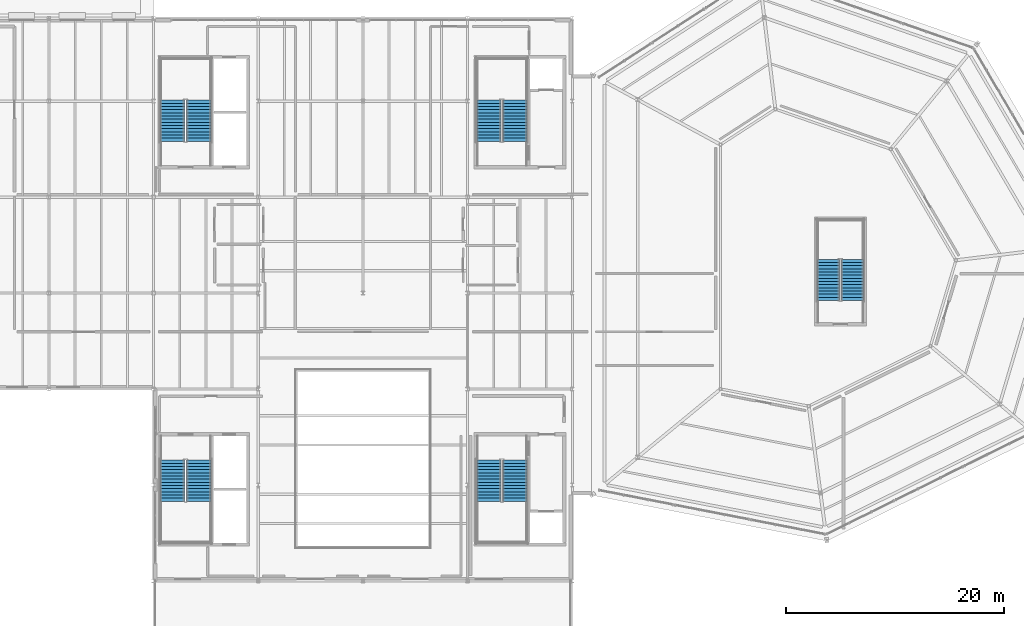
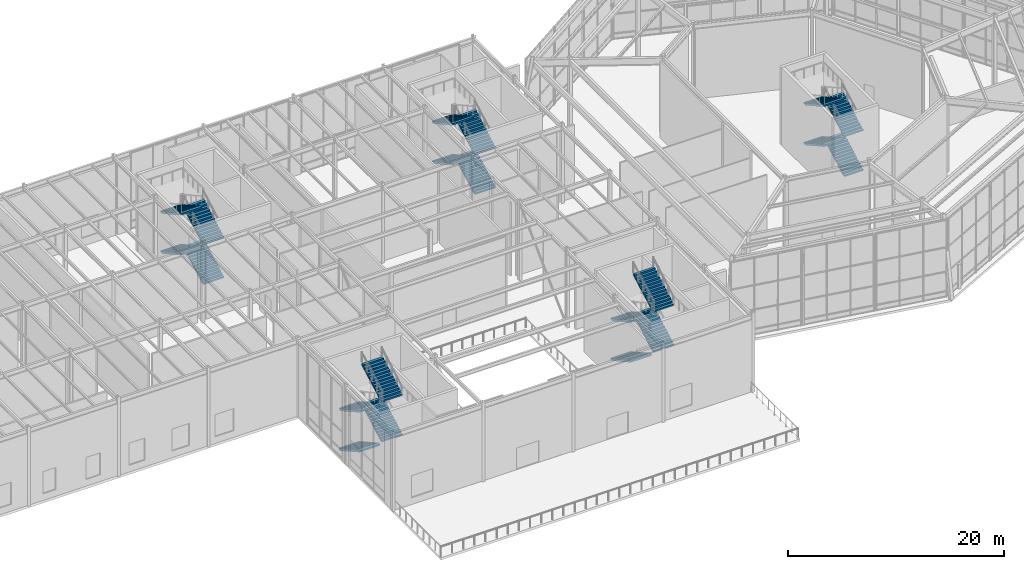
# One storey, part 41 of 48: 20 stair flights, 5 elements without a shape of their own.
"""IFC4 building model written with IfcOpenShell, lengths in metres."""

from ifc_helpers import new_model, si_unit, direction, frame, origin, place, context, subcontext, project, spatial, polyline, outline, extrude, material, type_object, element, aggregate, save


model = new_model("IFC4")

# Units and contexts
model_context = context("Model", 3, precision=1e-05, world=origin(), true_north=direction((0.0, 1.0)))
body_context = subcontext(model_context, "Body", "Model", "MODEL_VIEW")
ifc_project = project(units=[si_unit("LENGTHUNIT", "METRE"), si_unit("AREAUNIT", "SQUARE_METRE"), si_unit("VOLUMEUNIT", "CUBIC_METRE"), si_unit("PLANEANGLEUNIT", "RADIAN"), si_unit("MASSUNIT", "GRAM", prefix="KILO")], contexts=[model_context])

# Site, building, storey
site_placement = place(None, origin())
site = spatial("IfcSite", under=ifc_project, at=site_placement, CompositionType="ELEMENT")
building_placement = place(site_placement, origin())
building = spatial("IfcBuilding", under=site, at=building_placement, Name="Sarnbrook Museum", CompositionType="ELEMENT")
storey_placement = place(building_placement, frame((0.0, 0.0, 19.10009765625)))
storey = spatial("IfcBuildingStorey", under=building, at=storey_placement, Name="L04", CompositionType="ELEMENT", Elevation=19.10009765625)

# Stair, stair flights
ifc_material = material(Name="Concrete N40 (AS 3600, f'c = 40 MPa)", Category="concrete")
stair_type_1 = type_object("IfcStairType", Name="Stair_ST04", PredefinedType="HALF_TURN_STAIR", material=ifc_material)
stair_1_placement = place(storey_placement, origin())
stair_1 = element("IfcStair", 1, at=stair_1_placement, inside=storey, type_object=stair_type_1, Name="L04 Exit Stair ST1", PredefinedType="HALF_TURN_STAIR")
stair_flight_type_1 = type_object("IfcStairFlightType", Name="StairFlight_SF04", PredefinedType="STRAIGHT", material=ifc_material)
stair_flight_1_placement = place(storey_placement, frame((111.550048828125, 67.8798828125, 0.0), z_axis=(0.0, 0.0, 1.0), x_axis=(0.0, -1.0, 0.0)))
stair_flight_1 = element("IfcStairFlight", 2, at=stair_flight_1_placement, type_object=stair_flight_type_1, Name="ST1 flight 1", NumberOfRisers=14, NumberOfTreads=13, PredefinedType="STRAIGHT", RiserHeight=0.160714286, TreadLength=0.29, context=body_context, shape_type="SweptSolid", body=[
    extrude(outline(polyline([(0.0, 0.0), (0.0, 0.16064453125), (0.2900390625, 0.16064453125), (0.2900390625, 0.321533203125), (0.580078125, 0.321533203125), (0.580078125, 0.482177734375), (0.8701171875, 0.482177734375), (0.8701171875, 0.642822265625), (1.159912109375, 0.642822265625), (1.159912109375, 0.803466796875), (1.449951171875, 0.803466796875), (1.449951171875, 0.96435546875), (1.739990234375, 0.96435546875), (1.739990234375, 1.125), (2.030029296875, 1.125), (2.030029296875, 1.28564453125), (2.320068359375, 1.28564453125), (2.320068359375, 1.446533203125), (2.610107421875, 1.446533203125), (2.610107421875, 1.607177734375), (2.89990234375, 1.607177734375), (2.89990234375, 1.767822265625), (3.18994140625, 1.767822265625), (3.18994140625, 1.928466796875), (3.47998046875, 1.928466796875), (3.47998046875, 2.08935546875), (3.77001953125, 2.08935546875), (3.77001953125, 2.25), (3.77001953125, 1.91796875), (0.309326171875, 0.0), (0.0, 0.0)])), frame((0.0, 1.10986328125, 0.0), z_axis=(0.0, -1.0, 0.0), x_axis=(1.0, 0.0, 0.0)), (0.0, 0.0, 1.0), 2.219970703125),
])
stair_flight_2_placement = place(storey_placement, frame((113.949951171875, 64.110107421875, 2.25), z_axis=(0.0, 0.0, 1.0), x_axis=(0.0, 1.0, 0.0)))
stair_flight_2 = element("IfcStairFlight", 3, at=stair_flight_2_placement, type_object=stair_flight_type_1, Name="ST1 flight 2", NumberOfRisers=14, NumberOfTreads=13, PredefinedType="STRAIGHT", RiserHeight=0.160714286, TreadLength=0.29, context=body_context, shape_type="SweptSolid", body=[
    extrude(outline(polyline([(0.0, 0.0), (0.0, 0.16064453125), (0.2900390625, 0.16064453125), (0.2900390625, 0.321533203125), (0.580078125, 0.321533203125), (0.580078125, 0.482177734375), (0.8701171875, 0.482177734375), (0.8701171875, 0.642822265625), (1.159912109375, 0.642822265625), (1.159912109375, 0.803466796875), (1.449951171875, 0.803466796875), (1.449951171875, 0.96435546875), (1.739990234375, 0.96435546875), (1.739990234375, 1.125), (2.030029296875, 1.125), (2.030029296875, 1.28564453125), (2.320068359375, 1.28564453125), (2.320068359375, 1.446533203125), (2.610107421875, 1.446533203125), (2.610107421875, 1.607177734375), (2.89990234375, 1.607177734375), (2.89990234375, 1.767822265625), (3.18994140625, 1.767822265625), (3.18994140625, 1.928466796875), (3.47998046875, 1.928466796875), (3.47998046875, 2.08935546875), (3.77001953125, 2.08935546875), (3.77001953125, 2.25), (3.77001953125, 1.91796875), (0.309326171875, 0.0), (0.0, 0.0)])), frame((0.0, 1.10986328125, 0.0), z_axis=(0.0, -1.0, 0.0), x_axis=(1.0, 0.0, 0.0)), (0.0, 0.0, 1.0), 2.219970703125),
])
stair_flight_3_placement = place(storey_placement, frame((111.550048828125, 67.8798828125, 4.5), z_axis=(0.0, 0.0, 1.0), x_axis=(0.0, -1.0, 0.0)))
stair_flight_3 = element("IfcStairFlight", 4, at=stair_flight_3_placement, type_object=stair_flight_type_1, Name="ST1 flight 3", NumberOfRisers=14, NumberOfTreads=13, PredefinedType="STRAIGHT", RiserHeight=0.160714286, TreadLength=0.29, context=body_context, shape_type="SweptSolid", body=[
    extrude(outline(polyline([(0.0, 0.0), (0.0, 0.16064453125), (0.2900390625, 0.16064453125), (0.2900390625, 0.321533203125), (0.580078125, 0.321533203125), (0.580078125, 0.482177734375), (0.8701171875, 0.482177734375), (0.8701171875, 0.642822265625), (1.159912109375, 0.642822265625), (1.159912109375, 0.803466796875), (1.449951171875, 0.803466796875), (1.449951171875, 0.96435546875), (1.739990234375, 0.96435546875), (1.739990234375, 1.125), (2.030029296875, 1.125), (2.030029296875, 1.28564453125), (2.320068359375, 1.28564453125), (2.320068359375, 1.446533203125), (2.610107421875, 1.446533203125), (2.610107421875, 1.607177734375), (2.89990234375, 1.607177734375), (2.89990234375, 1.767822265625), (3.18994140625, 1.767822265625), (3.18994140625, 1.928466796875), (3.47998046875, 1.928466796875), (3.47998046875, 2.08935546875), (3.77001953125, 2.08935546875), (3.77001953125, 2.25), (3.77001953125, 1.91796875), (0.309326171875, 0.0), (0.0, 0.0)])), frame((0.0, 1.10986328125, 0.0), z_axis=(0.0, -1.0, 0.0), x_axis=(1.0, 0.0, 0.0)), (0.0, 0.0, 1.0), 2.219970703125),
])
stair_flight_4_placement = place(storey_placement, frame((113.949951171875, 64.110107421875, 6.75), z_axis=(0.0, 0.0, 1.0), x_axis=(0.0, 1.0, 0.0)))
stair_flight_4 = element("IfcStairFlight", 5, at=stair_flight_4_placement, type_object=stair_flight_type_1, Name="ST1 flight 4", NumberOfRisers=14, NumberOfTreads=13, PredefinedType="STRAIGHT", RiserHeight=0.160714286, TreadLength=0.29, context=body_context, shape_type="SweptSolid", body=[
    extrude(outline(polyline([(0.0, 0.0), (0.0, 0.16064453125), (0.2900390625, 0.16064453125), (0.2900390625, 0.321533203125), (0.580078125, 0.321533203125), (0.580078125, 0.482177734375), (0.8701171875, 0.482177734375), (0.8701171875, 0.642822265625), (1.159912109375, 0.642822265625), (1.159912109375, 0.803466796875), (1.449951171875, 0.803466796875), (1.449951171875, 0.96435546875), (1.739990234375, 0.96435546875), (1.739990234375, 1.125), (2.030029296875, 1.125), (2.030029296875, 1.28564453125), (2.320068359375, 1.28564453125), (2.320068359375, 1.446533203125), (2.610107421875, 1.446533203125), (2.610107421875, 1.607177734375), (2.89990234375, 1.607177734375), (2.89990234375, 1.767822265625), (3.18994140625, 1.767822265625), (3.18994140625, 1.928466796875), (3.47998046875, 1.928466796875), (3.47998046875, 2.08935546875), (3.77001953125, 2.08935546875), (3.77001953125, 2.25), (3.77001953125, 1.91796875), (0.309326171875, 0.0), (0.0, 0.0)])), frame((0.0, 1.10986328125, 0.0), z_axis=(0.0, -1.0, 0.0), x_axis=(1.0, 0.0, 0.0)), (0.0, 0.0, 1.0), 2.219970703125),
])
aggregate(stair_1, [stair_flight_1, stair_flight_2, stair_flight_3, stair_flight_4])

stair_2_placement = place(storey_placement, origin())
stair_2 = element("IfcStair", 6, at=stair_2_placement, inside=storey, type_object=stair_type_1, Name="L04 Exit Stair ST2", PredefinedType="HALF_TURN_STAIR")
stair_flight_5_placement = place(storey_placement, frame((113.949951171875, 97.1201171875, 0.0), z_axis=(0.0, 0.0, 1.0), x_axis=(0.0, 1.0, 0.0)))
stair_flight_5 = element("IfcStairFlight", 7, at=stair_flight_5_placement, type_object=stair_flight_type_1, Name="ST2 flight 1", NumberOfRisers=14, NumberOfTreads=13, PredefinedType="STRAIGHT", RiserHeight=0.160714286, TreadLength=0.29, context=body_context, shape_type="SweptSolid", body=[
    extrude(outline(polyline([(0.0, 0.0), (0.0, 0.16064453125), (0.2900390625, 0.16064453125), (0.2900390625, 0.321533203125), (0.580078125, 0.321533203125), (0.580078125, 0.482177734375), (0.8701171875, 0.482177734375), (0.8701171875, 0.642822265625), (1.159912109375, 0.642822265625), (1.159912109375, 0.803466796875), (1.449951171875, 0.803466796875), (1.449951171875, 0.96435546875), (1.739990234375, 0.96435546875), (1.739990234375, 1.125), (2.030029296875, 1.125), (2.030029296875, 1.28564453125), (2.320068359375, 1.28564453125), (2.320068359375, 1.446533203125), (2.610107421875, 1.446533203125), (2.610107421875, 1.607177734375), (2.89990234375, 1.607177734375), (2.89990234375, 1.767822265625), (3.18994140625, 1.767822265625), (3.18994140625, 1.928466796875), (3.47998046875, 1.928466796875), (3.47998046875, 2.08935546875), (3.77001953125, 2.08935546875), (3.77001953125, 2.25), (3.77001953125, 1.91796875), (0.309326171875, 0.0), (0.0, 0.0)])), frame((0.0, 1.10986328125, 0.0), z_axis=(0.0, -1.0, 0.0), x_axis=(1.0, 0.0, 0.0)), (0.0, 0.0, 1.0), 2.219970703125),
])
stair_flight_6_placement = place(storey_placement, frame((111.550048828125, 100.889892578125, 2.25), z_axis=(0.0, 0.0, 1.0), x_axis=(0.0, -1.0, 0.0)))
stair_flight_6 = element("IfcStairFlight", 8, at=stair_flight_6_placement, type_object=stair_flight_type_1, Name="ST2 flight 2", NumberOfRisers=14, NumberOfTreads=13, PredefinedType="STRAIGHT", RiserHeight=0.160714286, TreadLength=0.29, context=body_context, shape_type="SweptSolid", body=[
    extrude(outline(polyline([(0.0, 0.0), (0.0, 0.16064453125), (0.2900390625, 0.16064453125), (0.2900390625, 0.321533203125), (0.580078125, 0.321533203125), (0.580078125, 0.482177734375), (0.8701171875, 0.482177734375), (0.8701171875, 0.642822265625), (1.159912109375, 0.642822265625), (1.159912109375, 0.803466796875), (1.449951171875, 0.803466796875), (1.449951171875, 0.96435546875), (1.739990234375, 0.96435546875), (1.739990234375, 1.125), (2.030029296875, 1.125), (2.030029296875, 1.28564453125), (2.320068359375, 1.28564453125), (2.320068359375, 1.446533203125), (2.610107421875, 1.446533203125), (2.610107421875, 1.607177734375), (2.89990234375, 1.607177734375), (2.89990234375, 1.767822265625), (3.18994140625, 1.767822265625), (3.18994140625, 1.928466796875), (3.47998046875, 1.928466796875), (3.47998046875, 2.08935546875), (3.77001953125, 2.08935546875), (3.77001953125, 2.25), (3.77001953125, 1.91796875), (0.309326171875, 0.0), (0.0, 0.0)])), frame((0.0, 1.10986328125, 0.0), z_axis=(0.0, -1.0, 0.0), x_axis=(1.0, 0.0, 0.0)), (0.0, 0.0, 1.0), 2.219970703125),
])
stair_flight_7_placement = place(storey_placement, frame((113.949951171875, 97.1201171875, 4.5), z_axis=(0.0, 0.0, 1.0), x_axis=(0.0, 1.0, 0.0)))
stair_flight_7 = element("IfcStairFlight", 9, at=stair_flight_7_placement, type_object=stair_flight_type_1, Name="ST2 flight 3", NumberOfRisers=14, NumberOfTreads=13, PredefinedType="STRAIGHT", RiserHeight=0.160714286, TreadLength=0.29, context=body_context, shape_type="SweptSolid", body=[
    extrude(outline(polyline([(0.0, 0.0), (0.0, 0.16064453125), (0.2900390625, 0.16064453125), (0.2900390625, 0.321533203125), (0.580078125, 0.321533203125), (0.580078125, 0.482177734375), (0.8701171875, 0.482177734375), (0.8701171875, 0.642822265625), (1.159912109375, 0.642822265625), (1.159912109375, 0.803466796875), (1.449951171875, 0.803466796875), (1.449951171875, 0.96435546875), (1.739990234375, 0.96435546875), (1.739990234375, 1.125), (2.030029296875, 1.125), (2.030029296875, 1.28564453125), (2.320068359375, 1.28564453125), (2.320068359375, 1.446533203125), (2.610107421875, 1.446533203125), (2.610107421875, 1.607177734375), (2.89990234375, 1.607177734375), (2.89990234375, 1.767822265625), (3.18994140625, 1.767822265625), (3.18994140625, 1.928466796875), (3.47998046875, 1.928466796875), (3.47998046875, 2.08935546875), (3.77001953125, 2.08935546875), (3.77001953125, 2.25), (3.77001953125, 1.91796875), (0.309326171875, 0.0), (0.0, 0.0)])), frame((0.0, 1.10986328125, 0.0), z_axis=(0.0, -1.0, 0.0), x_axis=(1.0, 0.0, 0.0)), (0.0, 0.0, 1.0), 2.219970703125),
])
stair_flight_8_placement = place(storey_placement, frame((111.550048828125, 100.889892578125, 6.75), z_axis=(0.0, 0.0, 1.0), x_axis=(0.0, -1.0, 0.0)))
stair_flight_8 = element("IfcStairFlight", 10, at=stair_flight_8_placement, type_object=stair_flight_type_1, Name="ST2 flight 4", NumberOfRisers=14, NumberOfTreads=13, PredefinedType="STRAIGHT", RiserHeight=0.160714286, TreadLength=0.29, context=body_context, shape_type="SweptSolid", body=[
    extrude(outline(polyline([(0.0, 0.0), (0.0, 0.16064453125), (0.2900390625, 0.16064453125), (0.2900390625, 0.321533203125), (0.580078125, 0.321533203125), (0.580078125, 0.482177734375), (0.8701171875, 0.482177734375), (0.8701171875, 0.642822265625), (1.159912109375, 0.642822265625), (1.159912109375, 0.803466796875), (1.449951171875, 0.803466796875), (1.449951171875, 0.96435546875), (1.739990234375, 0.96435546875), (1.739990234375, 1.125), (2.030029296875, 1.125), (2.030029296875, 1.28564453125), (2.320068359375, 1.28564453125), (2.320068359375, 1.446533203125), (2.610107421875, 1.446533203125), (2.610107421875, 1.607177734375), (2.89990234375, 1.607177734375), (2.89990234375, 1.767822265625), (3.18994140625, 1.767822265625), (3.18994140625, 1.928466796875), (3.47998046875, 1.928466796875), (3.47998046875, 2.08935546875), (3.77001953125, 2.08935546875), (3.77001953125, 2.25), (3.77001953125, 1.91796875), (0.309326171875, 0.0), (0.0, 0.0)])), frame((0.0, 1.10986328125, 0.0), z_axis=(0.0, -1.0, 0.0), x_axis=(1.0, 0.0, 0.0)), (0.0, 0.0, 1.0), 2.219970703125),
])
aggregate(stair_2, [stair_flight_5, stair_flight_6, stair_flight_7, stair_flight_8])

stair_3_placement = place(storey_placement, origin())
stair_3 = element("IfcStair", 11, at=stair_3_placement, inside=storey, type_object=stair_type_1, Name="L04 Exit Stair ST3", PredefinedType="HALF_TURN_STAIR")
stair_flight_9_placement = place(storey_placement, frame((82.550048828125, 67.8798828125, 0.0), z_axis=(0.0, 0.0, 1.0), x_axis=(0.0, -1.0, 0.0)))
stair_flight_9 = element("IfcStairFlight", 12, at=stair_flight_9_placement, type_object=stair_flight_type_1, Name="ST3 flight 1", NumberOfRisers=14, NumberOfTreads=13, PredefinedType="STRAIGHT", RiserHeight=0.160714286, TreadLength=0.29, context=body_context, shape_type="SweptSolid", body=[
    extrude(outline(polyline([(0.0, 0.0), (0.0, 0.16064453125), (0.2900390625, 0.16064453125), (0.2900390625, 0.321533203125), (0.580078125, 0.321533203125), (0.580078125, 0.482177734375), (0.8701171875, 0.482177734375), (0.8701171875, 0.642822265625), (1.159912109375, 0.642822265625), (1.159912109375, 0.803466796875), (1.449951171875, 0.803466796875), (1.449951171875, 0.96435546875), (1.739990234375, 0.96435546875), (1.739990234375, 1.125), (2.030029296875, 1.125), (2.030029296875, 1.28564453125), (2.320068359375, 1.28564453125), (2.320068359375, 1.446533203125), (2.610107421875, 1.446533203125), (2.610107421875, 1.607177734375), (2.89990234375, 1.607177734375), (2.89990234375, 1.767822265625), (3.18994140625, 1.767822265625), (3.18994140625, 1.928466796875), (3.47998046875, 1.928466796875), (3.47998046875, 2.08935546875), (3.77001953125, 2.08935546875), (3.77001953125, 2.25), (3.77001953125, 1.91796875), (0.309326171875, 0.0), (0.0, 0.0)])), frame((0.0, 1.10986328125, 0.0), z_axis=(0.0, -1.0, 0.0), x_axis=(1.0, 0.0, 0.0)), (0.0, 0.0, 1.0), 2.219970703125),
])
stair_flight_10_placement = place(storey_placement, frame((84.949951171875, 64.110107421875, 2.25), z_axis=(0.0, 0.0, 1.0), x_axis=(0.0, 1.0, 0.0)))
stair_flight_10 = element("IfcStairFlight", 13, at=stair_flight_10_placement, type_object=stair_flight_type_1, Name="ST3 flight 2", NumberOfRisers=14, NumberOfTreads=13, PredefinedType="STRAIGHT", RiserHeight=0.160714286, TreadLength=0.29, context=body_context, shape_type="SweptSolid", body=[
    extrude(outline(polyline([(0.0, 0.0), (0.0, 0.16064453125), (0.2900390625, 0.16064453125), (0.2900390625, 0.321533203125), (0.580078125, 0.321533203125), (0.580078125, 0.482177734375), (0.8701171875, 0.482177734375), (0.8701171875, 0.642822265625), (1.159912109375, 0.642822265625), (1.159912109375, 0.803466796875), (1.449951171875, 0.803466796875), (1.449951171875, 0.96435546875), (1.739990234375, 0.96435546875), (1.739990234375, 1.125), (2.030029296875, 1.125), (2.030029296875, 1.28564453125), (2.320068359375, 1.28564453125), (2.320068359375, 1.446533203125), (2.610107421875, 1.446533203125), (2.610107421875, 1.607177734375), (2.89990234375, 1.607177734375), (2.89990234375, 1.767822265625), (3.18994140625, 1.767822265625), (3.18994140625, 1.928466796875), (3.47998046875, 1.928466796875), (3.47998046875, 2.08935546875), (3.77001953125, 2.08935546875), (3.77001953125, 2.25), (3.77001953125, 1.91796875), (0.309326171875, 0.0), (0.0, 0.0)])), frame((0.0, 1.10986328125, 0.0), z_axis=(0.0, -1.0, 0.0), x_axis=(1.0, 0.0, 0.0)), (0.0, 0.0, 1.0), 2.219970703125),
])
stair_flight_11_placement = place(storey_placement, frame((82.550048828125, 67.8798828125, 4.5), z_axis=(0.0, 0.0, 1.0), x_axis=(0.0, -1.0, 0.0)))
stair_flight_11 = element("IfcStairFlight", 14, at=stair_flight_11_placement, type_object=stair_flight_type_1, Name="ST3 flight 3", NumberOfRisers=14, NumberOfTreads=13, PredefinedType="STRAIGHT", RiserHeight=0.160714286, TreadLength=0.29, context=body_context, shape_type="SweptSolid", body=[
    extrude(outline(polyline([(0.0, 0.0), (0.0, 0.16064453125), (0.2900390625, 0.16064453125), (0.2900390625, 0.321533203125), (0.580078125, 0.321533203125), (0.580078125, 0.482177734375), (0.8701171875, 0.482177734375), (0.8701171875, 0.642822265625), (1.159912109375, 0.642822265625), (1.159912109375, 0.803466796875), (1.449951171875, 0.803466796875), (1.449951171875, 0.96435546875), (1.739990234375, 0.96435546875), (1.739990234375, 1.125), (2.030029296875, 1.125), (2.030029296875, 1.28564453125), (2.320068359375, 1.28564453125), (2.320068359375, 1.446533203125), (2.610107421875, 1.446533203125), (2.610107421875, 1.607177734375), (2.89990234375, 1.607177734375), (2.89990234375, 1.767822265625), (3.18994140625, 1.767822265625), (3.18994140625, 1.928466796875), (3.47998046875, 1.928466796875), (3.47998046875, 2.08935546875), (3.77001953125, 2.08935546875), (3.77001953125, 2.25), (3.77001953125, 1.91796875), (0.309326171875, 0.0), (0.0, 0.0)])), frame((0.0, 1.10986328125, 0.0), z_axis=(0.0, -1.0, 0.0), x_axis=(1.0, 0.0, 0.0)), (0.0, 0.0, 1.0), 2.219970703125),
])
stair_flight_12_placement = place(storey_placement, frame((84.949951171875, 64.110107421875, 6.75), z_axis=(0.0, 0.0, 1.0), x_axis=(0.0, 1.0, 0.0)))
stair_flight_12 = element("IfcStairFlight", 15, at=stair_flight_12_placement, type_object=stair_flight_type_1, Name="ST3 flight 4", NumberOfRisers=14, NumberOfTreads=13, PredefinedType="STRAIGHT", RiserHeight=0.160714286, TreadLength=0.29, context=body_context, shape_type="SweptSolid", body=[
    extrude(outline(polyline([(0.0, 0.0), (0.0, 0.16064453125), (0.2900390625, 0.16064453125), (0.2900390625, 0.321533203125), (0.580078125, 0.321533203125), (0.580078125, 0.482177734375), (0.8701171875, 0.482177734375), (0.8701171875, 0.642822265625), (1.159912109375, 0.642822265625), (1.159912109375, 0.803466796875), (1.449951171875, 0.803466796875), (1.449951171875, 0.96435546875), (1.739990234375, 0.96435546875), (1.739990234375, 1.125), (2.030029296875, 1.125), (2.030029296875, 1.28564453125), (2.320068359375, 1.28564453125), (2.320068359375, 1.446533203125), (2.610107421875, 1.446533203125), (2.610107421875, 1.607177734375), (2.89990234375, 1.607177734375), (2.89990234375, 1.767822265625), (3.18994140625, 1.767822265625), (3.18994140625, 1.928466796875), (3.47998046875, 1.928466796875), (3.47998046875, 2.08935546875), (3.77001953125, 2.08935546875), (3.77001953125, 2.25), (3.77001953125, 1.91796875), (0.309326171875, 0.0), (0.0, 0.0)])), frame((0.0, 1.10986328125, 0.0), z_axis=(0.0, -1.0, 0.0), x_axis=(1.0, 0.0, 0.0)), (0.0, 0.0, 1.0), 2.219970703125),
])
aggregate(stair_3, [stair_flight_9, stair_flight_10, stair_flight_11, stair_flight_12])

stair_4_placement = place(storey_placement, origin())
stair_4 = element("IfcStair", 16, at=stair_4_placement, inside=storey, type_object=stair_type_1, Name="L04 Exit Stair ST4", PredefinedType="HALF_TURN_STAIR")
stair_flight_13_placement = place(storey_placement, frame((84.949951171875, 97.1201171875, 0.0), z_axis=(0.0, 0.0, 1.0), x_axis=(0.0, 1.0, 0.0)))
stair_flight_13 = element("IfcStairFlight", 17, at=stair_flight_13_placement, type_object=stair_flight_type_1, Name="ST4 flight 1", NumberOfRisers=14, NumberOfTreads=13, PredefinedType="STRAIGHT", RiserHeight=0.160714286, TreadLength=0.29, context=body_context, shape_type="SweptSolid", body=[
    extrude(outline(polyline([(0.0, 0.0), (0.0, 0.16064453125), (0.2900390625, 0.16064453125), (0.2900390625, 0.321533203125), (0.580078125, 0.321533203125), (0.580078125, 0.482177734375), (0.8701171875, 0.482177734375), (0.8701171875, 0.642822265625), (1.159912109375, 0.642822265625), (1.159912109375, 0.803466796875), (1.449951171875, 0.803466796875), (1.449951171875, 0.96435546875), (1.739990234375, 0.96435546875), (1.739990234375, 1.125), (2.030029296875, 1.125), (2.030029296875, 1.28564453125), (2.320068359375, 1.28564453125), (2.320068359375, 1.446533203125), (2.610107421875, 1.446533203125), (2.610107421875, 1.607177734375), (2.89990234375, 1.607177734375), (2.89990234375, 1.767822265625), (3.18994140625, 1.767822265625), (3.18994140625, 1.928466796875), (3.47998046875, 1.928466796875), (3.47998046875, 2.08935546875), (3.77001953125, 2.08935546875), (3.77001953125, 2.25), (3.77001953125, 1.91796875), (0.309326171875, 0.0), (0.0, 0.0)])), frame((0.0, 1.10986328125, 0.0), z_axis=(0.0, -1.0, 0.0), x_axis=(1.0, 0.0, 0.0)), (0.0, 0.0, 1.0), 2.219970703125),
])
stair_flight_14_placement = place(storey_placement, frame((82.550048828125, 100.889892578125, 2.25), z_axis=(0.0, 0.0, 1.0), x_axis=(0.0, -1.0, 0.0)))
stair_flight_14 = element("IfcStairFlight", 18, at=stair_flight_14_placement, type_object=stair_flight_type_1, Name="ST4 flight 2", NumberOfRisers=14, NumberOfTreads=13, PredefinedType="STRAIGHT", RiserHeight=0.160714286, TreadLength=0.29, context=body_context, shape_type="SweptSolid", body=[
    extrude(outline(polyline([(0.0, 0.0), (0.0, 0.16064453125), (0.2900390625, 0.16064453125), (0.2900390625, 0.321533203125), (0.580078125, 0.321533203125), (0.580078125, 0.482177734375), (0.8701171875, 0.482177734375), (0.8701171875, 0.642822265625), (1.159912109375, 0.642822265625), (1.159912109375, 0.803466796875), (1.449951171875, 0.803466796875), (1.449951171875, 0.96435546875), (1.739990234375, 0.96435546875), (1.739990234375, 1.125), (2.030029296875, 1.125), (2.030029296875, 1.28564453125), (2.320068359375, 1.28564453125), (2.320068359375, 1.446533203125), (2.610107421875, 1.446533203125), (2.610107421875, 1.607177734375), (2.89990234375, 1.607177734375), (2.89990234375, 1.767822265625), (3.18994140625, 1.767822265625), (3.18994140625, 1.928466796875), (3.47998046875, 1.928466796875), (3.47998046875, 2.08935546875), (3.77001953125, 2.08935546875), (3.77001953125, 2.25), (3.77001953125, 1.91796875), (0.309326171875, 0.0), (0.0, 0.0)])), frame((0.0, 1.10986328125, 0.0), z_axis=(0.0, -1.0, 0.0), x_axis=(1.0, 0.0, 0.0)), (0.0, 0.0, 1.0), 2.219970703125),
])
stair_flight_15_placement = place(storey_placement, frame((84.949951171875, 97.1201171875, 4.5), z_axis=(0.0, 0.0, 1.0), x_axis=(0.0, 1.0, 0.0)))
stair_flight_15 = element("IfcStairFlight", 19, at=stair_flight_15_placement, type_object=stair_flight_type_1, Name="ST4 flight 3", NumberOfRisers=14, NumberOfTreads=13, PredefinedType="STRAIGHT", RiserHeight=0.160714286, TreadLength=0.29, context=body_context, shape_type="SweptSolid", body=[
    extrude(outline(polyline([(0.0, 0.0), (0.0, 0.16064453125), (0.2900390625, 0.16064453125), (0.2900390625, 0.321533203125), (0.580078125, 0.321533203125), (0.580078125, 0.482177734375), (0.8701171875, 0.482177734375), (0.8701171875, 0.642822265625), (1.159912109375, 0.642822265625), (1.159912109375, 0.803466796875), (1.449951171875, 0.803466796875), (1.449951171875, 0.96435546875), (1.739990234375, 0.96435546875), (1.739990234375, 1.125), (2.030029296875, 1.125), (2.030029296875, 1.28564453125), (2.320068359375, 1.28564453125), (2.320068359375, 1.446533203125), (2.610107421875, 1.446533203125), (2.610107421875, 1.607177734375), (2.89990234375, 1.607177734375), (2.89990234375, 1.767822265625), (3.18994140625, 1.767822265625), (3.18994140625, 1.928466796875), (3.47998046875, 1.928466796875), (3.47998046875, 2.08935546875), (3.77001953125, 2.08935546875), (3.77001953125, 2.25), (3.77001953125, 1.91796875), (0.309326171875, 0.0), (0.0, 0.0)])), frame((0.0, 1.10986328125, 0.0), z_axis=(0.0, -1.0, 0.0), x_axis=(1.0, 0.0, 0.0)), (0.0, 0.0, 1.0), 2.219970703125),
])
stair_flight_16_placement = place(storey_placement, frame((82.550048828125, 100.889892578125, 6.75), z_axis=(0.0, 0.0, 1.0), x_axis=(0.0, -1.0, 0.0)))
stair_flight_16 = element("IfcStairFlight", 20, at=stair_flight_16_placement, type_object=stair_flight_type_1, Name="ST4 flight 4", NumberOfRisers=14, NumberOfTreads=13, PredefinedType="STRAIGHT", RiserHeight=0.160714286, TreadLength=0.29, context=body_context, shape_type="SweptSolid", body=[
    extrude(outline(polyline([(0.0, 0.0), (0.0, 0.16064453125), (0.2900390625, 0.16064453125), (0.2900390625, 0.321533203125), (0.580078125, 0.321533203125), (0.580078125, 0.482177734375), (0.8701171875, 0.482177734375), (0.8701171875, 0.642822265625), (1.159912109375, 0.642822265625), (1.159912109375, 0.803466796875), (1.449951171875, 0.803466796875), (1.449951171875, 0.96435546875), (1.739990234375, 0.96435546875), (1.739990234375, 1.125), (2.030029296875, 1.125), (2.030029296875, 1.28564453125), (2.320068359375, 1.28564453125), (2.320068359375, 1.446533203125), (2.610107421875, 1.446533203125), (2.610107421875, 1.607177734375), (2.89990234375, 1.607177734375), (2.89990234375, 1.767822265625), (3.18994140625, 1.767822265625), (3.18994140625, 1.928466796875), (3.47998046875, 1.928466796875), (3.47998046875, 2.08935546875), (3.77001953125, 2.08935546875), (3.77001953125, 2.25), (3.77001953125, 1.91796875), (0.309326171875, 0.0), (0.0, 0.0)])), frame((0.0, 1.10986328125, 0.0), z_axis=(0.0, -1.0, 0.0), x_axis=(1.0, 0.0, 0.0)), (0.0, 0.0, 1.0), 2.219970703125),
])
aggregate(stair_4, [stair_flight_13, stair_flight_14, stair_flight_15, stair_flight_16])

stair_type_2 = type_object("IfcStairType", Name="Stair_ST08", PredefinedType="HALF_TURN_STAIR", material=ifc_material)
stair_5_placement = place(storey_placement, origin())
stair_5 = element("IfcStair", 21, at=stair_5_placement, inside=storey, type_object=stair_type_2, Name="L04 Exit Stair ST7", PredefinedType="HALF_TURN_STAIR")
stair_flight_type_2 = type_object("IfcStairFlightType", Name="StairFlight_SF08", PredefinedType="STRAIGHT", material=ifc_material)
stair_flight_17_placement = place(storey_placement, frame((144.889892578125, 82.52001953125, 0.0), z_axis=(0.0, 0.0, 1.0), x_axis=(0.0, 1.0, 0.0)))
stair_flight_17 = element("IfcStairFlight", 22, at=stair_flight_17_placement, type_object=stair_flight_type_2, Name="ST7 flight 1", NumberOfRisers=14, NumberOfTreads=13, PredefinedType="STRAIGHT", RiserHeight=0.160714286, TreadLength=0.29, context=body_context, shape_type="SweptSolid", body=[
    extrude(outline(polyline([(0.0, 0.0), (0.0, 0.16064453125), (0.2900390625, 0.16064453125), (0.2900390625, 0.321533203125), (0.580078125, 0.321533203125), (0.580078125, 0.482177734375), (0.8701171875, 0.482177734375), (0.8701171875, 0.642822265625), (1.159912109375, 0.642822265625), (1.159912109375, 0.803466796875), (1.449951171875, 0.803466796875), (1.449951171875, 0.96435546875), (1.739990234375, 0.96435546875), (1.739990234375, 1.125), (2.030029296875, 1.125), (2.030029296875, 1.28564453125), (2.320068359375, 1.28564453125), (2.320068359375, 1.446533203125), (2.610107421875, 1.446533203125), (2.610107421875, 1.607177734375), (2.89990234375, 1.607177734375), (2.89990234375, 1.767822265625), (3.18994140625, 1.767822265625), (3.18994140625, 1.928466796875), (3.47998046875, 1.928466796875), (3.47998046875, 2.08935546875), (3.77001953125, 2.08935546875), (3.77001953125, 2.25), (3.77001953125, 1.91796875), (0.309326171875, 0.0), (0.0, 0.0)])), frame((0.0, 1.010009765625, 0.0), z_axis=(0.0, -1.0, 0.0), x_axis=(1.0, 0.0, 0.0)), (0.0, 0.0, 1.0), 2.02001953125),
])
stair_flight_18_placement = place(storey_placement, frame((142.7099609375, 86.2900390625, 2.25), z_axis=(0.0, 0.0, 1.0), x_axis=(0.0, -1.0, 0.0)))
stair_flight_18 = element("IfcStairFlight", 23, at=stair_flight_18_placement, type_object=stair_flight_type_2, Name="ST7 flight 2", NumberOfRisers=14, NumberOfTreads=13, PredefinedType="STRAIGHT", RiserHeight=0.160714286, TreadLength=0.29, context=body_context, shape_type="SweptSolid", body=[
    extrude(outline(polyline([(0.0, 0.0), (0.0, 0.16064453125), (0.2900390625, 0.16064453125), (0.2900390625, 0.321533203125), (0.580078125, 0.321533203125), (0.580078125, 0.482177734375), (0.8701171875, 0.482177734375), (0.8701171875, 0.642822265625), (1.159912109375, 0.642822265625), (1.159912109375, 0.803466796875), (1.449951171875, 0.803466796875), (1.449951171875, 0.96435546875), (1.739990234375, 0.96435546875), (1.739990234375, 1.125), (2.030029296875, 1.125), (2.030029296875, 1.28564453125), (2.320068359375, 1.28564453125), (2.320068359375, 1.446533203125), (2.610107421875, 1.446533203125), (2.610107421875, 1.607177734375), (2.89990234375, 1.607177734375), (2.89990234375, 1.767822265625), (3.18994140625, 1.767822265625), (3.18994140625, 1.928466796875), (3.47998046875, 1.928466796875), (3.47998046875, 2.08935546875), (3.77001953125, 2.08935546875), (3.77001953125, 2.25), (3.77001953125, 1.91796875), (0.309326171875, 0.0), (0.0, 0.0)])), frame((0.0, 1.010009765625, 0.0), z_axis=(0.0, -1.0, 0.0), x_axis=(1.0, 0.0, 0.0)), (0.0, 0.0, 1.0), 2.02001953125),
])
stair_flight_19_placement = place(storey_placement, frame((144.889892578125, 82.52001953125, 4.5), z_axis=(0.0, 0.0, 1.0), x_axis=(0.0, 1.0, 0.0)))
stair_flight_19 = element("IfcStairFlight", 24, at=stair_flight_19_placement, type_object=stair_flight_type_2, Name="ST7 flight 3", NumberOfRisers=14, NumberOfTreads=13, PredefinedType="STRAIGHT", RiserHeight=0.160714286, TreadLength=0.29, context=body_context, shape_type="SweptSolid", body=[
    extrude(outline(polyline([(0.0, 0.0), (0.0, 0.16064453125), (0.2900390625, 0.16064453125), (0.2900390625, 0.321533203125), (0.580078125, 0.321533203125), (0.580078125, 0.482177734375), (0.8701171875, 0.482177734375), (0.8701171875, 0.642822265625), (1.159912109375, 0.642822265625), (1.159912109375, 0.803466796875), (1.449951171875, 0.803466796875), (1.449951171875, 0.96435546875), (1.739990234375, 0.96435546875), (1.739990234375, 1.125), (2.030029296875, 1.125), (2.030029296875, 1.28564453125), (2.320068359375, 1.28564453125), (2.320068359375, 1.446533203125), (2.610107421875, 1.446533203125), (2.610107421875, 1.607177734375), (2.89990234375, 1.607177734375), (2.89990234375, 1.767822265625), (3.18994140625, 1.767822265625), (3.18994140625, 1.928466796875), (3.47998046875, 1.928466796875), (3.47998046875, 2.08935546875), (3.77001953125, 2.08935546875), (3.77001953125, 2.25), (3.77001953125, 1.91796875), (0.309326171875, 0.0), (0.0, 0.0)])), frame((0.0, 1.010009765625, 0.0), z_axis=(0.0, -1.0, 0.0), x_axis=(1.0, 0.0, 0.0)), (0.0, 0.0, 1.0), 2.02001953125),
])
stair_flight_20_placement = place(storey_placement, frame((142.7099609375, 86.2900390625, 6.75), z_axis=(0.0, 0.0, 1.0), x_axis=(0.0, -1.0, 0.0)))
stair_flight_20 = element("IfcStairFlight", 25, at=stair_flight_20_placement, type_object=stair_flight_type_2, Name="ST7 flight 4", NumberOfRisers=14, NumberOfTreads=13, PredefinedType="STRAIGHT", RiserHeight=0.160714286, TreadLength=0.29, context=body_context, shape_type="SweptSolid", body=[
    extrude(outline(polyline([(0.0, 0.0), (0.0, 0.16064453125), (0.2900390625, 0.16064453125), (0.2900390625, 0.321533203125), (0.580078125, 0.321533203125), (0.580078125, 0.482177734375), (0.8701171875, 0.482177734375), (0.8701171875, 0.642822265625), (1.159912109375, 0.642822265625), (1.159912109375, 0.803466796875), (1.449951171875, 0.803466796875), (1.449951171875, 0.96435546875), (1.739990234375, 0.96435546875), (1.739990234375, 1.125), (2.030029296875, 1.125), (2.030029296875, 1.28564453125), (2.320068359375, 1.28564453125), (2.320068359375, 1.446533203125), (2.610107421875, 1.446533203125), (2.610107421875, 1.607177734375), (2.89990234375, 1.607177734375), (2.89990234375, 1.767822265625), (3.18994140625, 1.767822265625), (3.18994140625, 1.928466796875), (3.47998046875, 1.928466796875), (3.47998046875, 2.08935546875), (3.77001953125, 2.08935546875), (3.77001953125, 2.25), (3.77001953125, 1.91796875), (0.309326171875, 0.0), (0.0, 0.0)])), frame((0.0, 1.010009765625, 0.0), z_axis=(0.0, -1.0, 0.0), x_axis=(1.0, 0.0, 0.0)), (0.0, 0.0, 1.0), 2.02001953125),
])
aggregate(stair_5, [stair_flight_17, stair_flight_18, stair_flight_19, stair_flight_20])

save(model, "model.ifc")
